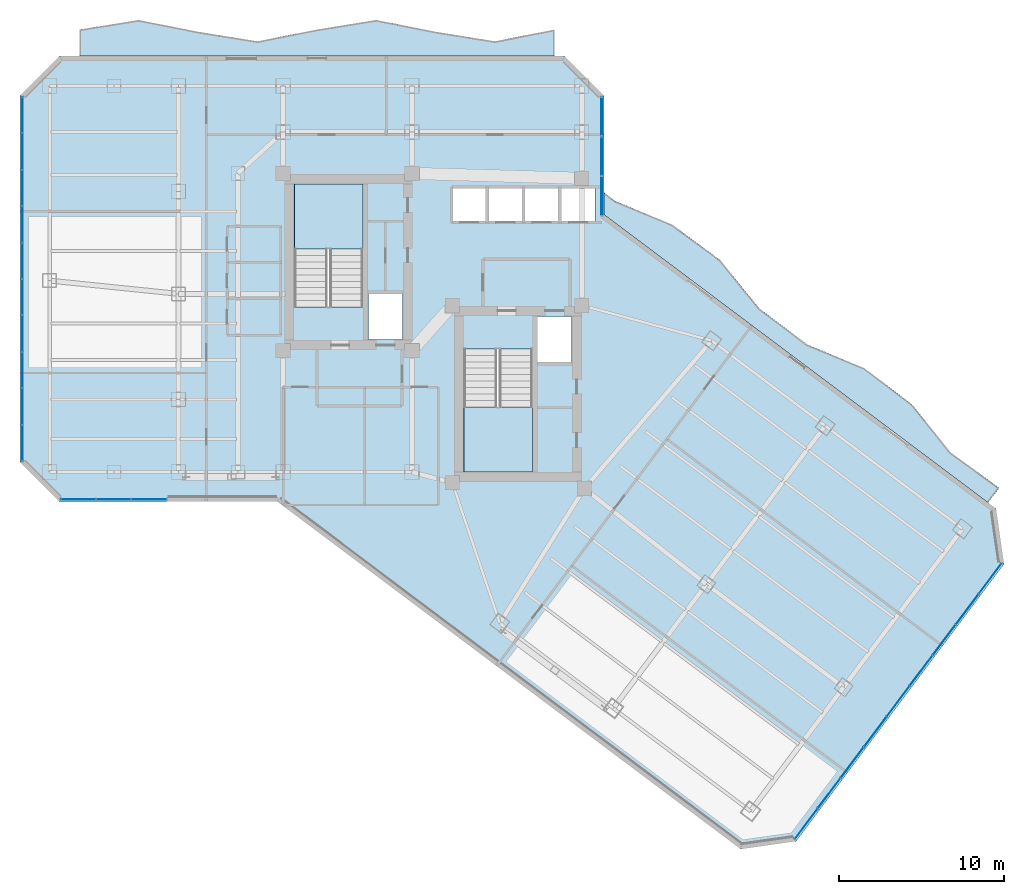
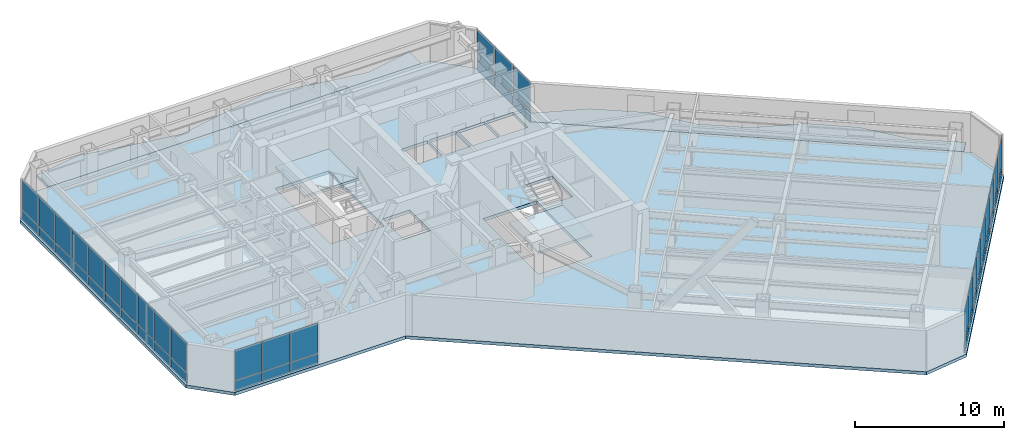
# One storey, part 20 of 29: 50 plates, 5 slabs, 6 elements without a shape of their own.
"""IFC4 building model written with IfcOpenShell, lengths in metres."""

from ifc_helpers import new_model, si_unit, direction, frame, origin, origin_2d, place, context, subcontext, project, spatial, polyline, rectangle, outline, extrude, material, layer, layer_set, type_object, element, aggregate, save


model = new_model("IFC4")

# Units and contexts
model_context = context("Model", 3, precision=1e-05, world=origin(), true_north=direction((0.0, 1.0)))
body_context = subcontext(model_context, "Body", "Model", "MODEL_VIEW")
ifc_project = project(units=[si_unit("LENGTHUNIT", "METRE"), si_unit("AREAUNIT", "SQUARE_METRE"), si_unit("VOLUMEUNIT", "CUBIC_METRE"), si_unit("PLANEANGLEUNIT", "RADIAN"), si_unit("MASSUNIT", "GRAM", prefix="KILO")], contexts=[model_context])

# Site, building, storey
site_placement = place(None, origin())
site = spatial("IfcSite", under=ifc_project, at=site_placement, CompositionType="ELEMENT")
building_placement = place(site_placement, origin())
building = spatial("IfcBuilding", under=site, at=building_placement, Name="Hatsunagi Terrace Concourse", CompositionType="ELEMENT")
storey_placement = place(building_placement, frame((0.0, 0.0, 119.25)))
storey = spatial("IfcBuildingStorey", under=building, at=storey_placement, Name="L31", CompositionType="ELEMENT", Elevation=119.25)

# Curtain wall, plates
ifc_material_1 = material(Name="Anodised Aluminium Alloy 6063-T5", Category="aluminium")
ifc_layer_1 = layer(ifc_material_1, 0.199951171875)
ifc_layer_set_1 = layer_set([ifc_layer_1], Name="OfficeZone1_CW03")
curtain_wall_type = type_object("IfcCurtainWallType", Name="OfficeZone1_CW03", PredefinedType="NOTDEFINED", material=ifc_layer_set_1)
curtain_wall_1_placement = place(storey_placement, origin())
curtain_wall_1 = element("IfcCurtainWall", 1, at=curtain_wall_1_placement, inside=storey, type_object=curtain_wall_type, Name="Unitised Curtain Wall CW-03 CW-L31-03", PredefinedType="NOTDEFINED")
ifc_material_2 = material(Name="Warm Terracotta Ceramic Spandrel Panel", Category="masonry")
ifc_layer_2 = layer(ifc_material_2, 0.031982421875)
ifc_layer_set_2 = layer_set([ifc_layer_2], Name="CurtainWallSpandrelPanel_32")
plate_type_1 = type_object("IfcPlateType", Name="CurtainWallSpandrelPanel_32", PredefinedType="SHEET", material=ifc_layer_set_2)
plate_1_placement = place(storey_placement, frame((68.39697265625, 18.72998046875, 0.030029296875), z_axis=(0.0, 0.0, 1.0), x_axis=(-0.599969314634, -0.800023013105, 0.0)))
plate_1 = element("IfcPlate", 2, at=plate_1_placement, type_object=plate_type_1, Name="Terracotta Spandrel Panel SPN-01", PredefinedType="SHEET", context=body_context, shape_type="SweptSolid", body=[
    extrude(rectangle(XDim=2.264892578125, YDim=0.031982421875, at=origin_2d()), origin(), (0.0, 0.0, 1.0), 0.7900390625),
])
plate_2_placement = place(storey_placement, frame((67.0048828125, 16.873046875, 0.030029296875), z_axis=(0.0, 0.0, 1.0), x_axis=(-0.599969314634, -0.800023013105, 0.0)))
plate_2 = element("IfcPlate", 3, at=plate_2_placement, type_object=plate_type_1, Name="Terracotta Spandrel Panel SPN-01", PredefinedType="SHEET", context=body_context, shape_type="SweptSolid", body=[
    extrude(rectangle(XDim=2.264892578125, YDim=0.031982421875, at=origin_2d()), origin(), (0.0, 0.0, 1.0), 0.7900390625),
])
plate_3_placement = place(storey_placement, frame((65.612060546875, 15.01708984375, 0.030029296875), z_axis=(0.0, 0.0, 1.0), x_axis=(-0.599969314634, -0.800023013105, 0.0)))
plate_3 = element("IfcPlate", 4, at=plate_3_placement, type_object=plate_type_1, Name="Terracotta Spandrel Panel SPN-01", PredefinedType="SHEET", context=body_context, shape_type="SweptSolid", body=[
    extrude(rectangle(XDim=2.264892578125, YDim=0.031982421875, at=origin_2d()), origin(), (0.0, 0.0, 1.0), 0.7900390625),
])
plate_4_placement = place(storey_placement, frame((64.219970703125, 13.159912109375, 0.030029296875), z_axis=(0.0, 0.0, 1.0), x_axis=(-0.599969314634, -0.800023013105, 0.0)))
plate_4 = element("IfcPlate", 5, at=plate_4_placement, type_object=plate_type_1, Name="Terracotta Spandrel Panel SPN-01", PredefinedType="SHEET", context=body_context, shape_type="SweptSolid", body=[
    extrude(rectangle(XDim=2.264892578125, YDim=0.031982421875, at=origin_2d()), origin(), (0.0, 0.0, 1.0), 0.7900390625),
])
plate_5_placement = place(storey_placement, frame((62.827880859375, 11.303955078125, 0.030029296875), z_axis=(0.0, 0.0, 1.0), x_axis=(-0.599969314634, -0.800023013105, 0.0)))
plate_5 = element("IfcPlate", 6, at=plate_5_placement, type_object=plate_type_1, Name="Terracotta Spandrel Panel SPN-01", PredefinedType="SHEET", context=body_context, shape_type="SweptSolid", body=[
    extrude(rectangle(XDim=2.264892578125, YDim=0.031982421875, at=origin_2d()), origin(), (0.0, 0.0, 1.0), 0.7900390625),
])
plate_6_placement = place(storey_placement, frame((61.43603515625, 9.447998046875, 0.030029296875), z_axis=(0.0, 0.0, 1.0), x_axis=(-0.599969314634, -0.800023013105, 0.0)))
plate_6 = element("IfcPlate", 7, at=plate_6_placement, type_object=plate_type_1, Name="Terracotta Spandrel Panel SPN-01", PredefinedType="SHEET", context=body_context, shape_type="SweptSolid", body=[
    extrude(rectangle(XDim=2.264892578125, YDim=0.031982421875, at=origin_2d()), origin(), (0.0, 0.0, 1.0), 0.7900390625),
])
plate_7_placement = place(storey_placement, frame((60.0439453125, 7.591064453125, 0.030029296875), z_axis=(0.0, 0.0, 1.0), x_axis=(-0.599969314634, -0.800023013105, 0.0)))
plate_7 = element("IfcPlate", 8, at=plate_7_placement, type_object=plate_type_1, Name="Terracotta Spandrel Panel SPN-01", PredefinedType="SHEET", context=body_context, shape_type="SweptSolid", body=[
    extrude(rectangle(XDim=2.264892578125, YDim=0.031982421875, at=origin_2d()), origin(), (0.0, 0.0, 1.0), 0.7900390625),
])
plate_8_placement = place(storey_placement, frame((58.65087890625, 5.735107421875, 0.030029296875), z_axis=(0.0, 0.0, 1.0), x_axis=(-0.599969314634, -0.800023013105, 0.0)))
plate_8 = element("IfcPlate", 9, at=plate_8_placement, type_object=plate_type_1, Name="Terracotta Spandrel Panel SPN-01", PredefinedType="SHEET", context=body_context, shape_type="SweptSolid", body=[
    extrude(rectangle(XDim=2.264892578125, YDim=0.031982421875, at=origin_2d()), origin(), (0.0, 0.0, 1.0), 0.7900390625),
])
plate_9_placement = place(storey_placement, frame((57.259033203125, 3.8779296875, 0.030029296875), z_axis=(0.0, 0.0, 1.0), x_axis=(-0.599969314634, -0.800023013105, 0.0)))
plate_9 = element("IfcPlate", 10, at=plate_9_placement, type_object=plate_type_1, Name="Terracotta Spandrel Panel SPN-01", PredefinedType="SHEET", context=body_context, shape_type="SweptSolid", body=[
    extrude(rectangle(XDim=2.264892578125, YDim=0.031982421875, at=origin_2d()), origin(), (0.0, 0.0, 1.0), 0.7900390625),
])

curtain_wall_2_placement = place(storey_placement, origin())
curtain_wall_2 = element("IfcCurtainWall", 11, at=curtain_wall_2_placement, inside=storey, type_object=curtain_wall_type, Name="Unitised Curtain Wall CW-03 CW-L31-07", PredefinedType="NOTDEFINED")
plate_10_placement = place(storey_placement, frame((17.426025390625, 23.5400390625, 0.030029296875), z_axis=(0.0, 0.0, 1.0), x_axis=(-1.0, 0.0, 0.0)))
plate_10 = element("IfcPlate", 12, at=plate_10_placement, type_object=plate_type_1, Name="Terracotta Spandrel Panel SPN-01", PredefinedType="SHEET", context=body_context, shape_type="SweptSolid", body=[
    extrude(rectangle(XDim=2.092041015625, YDim=0.031982421875, at=origin_2d()), origin(), (0.0, 0.0, 1.0), 0.7900390625),
])
plate_11_placement = place(storey_placement, frame((15.279052734375, 23.5400390625, 0.030029296875), z_axis=(0.0, 0.0, 1.0), x_axis=(-1.0, 0.0, 0.0)))
plate_11 = element("IfcPlate", 13, at=plate_11_placement, type_object=plate_type_1, Name="Terracotta Spandrel Panel SPN-01", PredefinedType="SHEET", context=body_context, shape_type="SweptSolid", body=[
    extrude(rectangle(XDim=2.092041015625, YDim=0.031982421875, at=origin_2d()), origin(), (0.0, 0.0, 1.0), 0.7900390625),
])
plate_12_placement = place(storey_placement, frame((13.132080078125, 23.5400390625, 0.030029296875), z_axis=(0.0, 0.0, 1.0), x_axis=(-1.0, 0.0, 0.0)))
plate_12 = element("IfcPlate", 14, at=plate_12_placement, type_object=plate_type_1, Name="Terracotta Spandrel Panel SPN-01", PredefinedType="SHEET", context=body_context, shape_type="SweptSolid", body=[
    extrude(rectangle(XDim=2.092041015625, YDim=0.031982421875, at=origin_2d()), origin(), (0.0, 0.0, 1.0), 0.7900390625),
])

curtain_wall_3_placement = place(storey_placement, origin())
curtain_wall_3 = element("IfcCurtainWall", 15, at=curtain_wall_3_placement, inside=storey, type_object=curtain_wall_type, Name="Unitised Curtain Wall CW-03 CW-L31-09", PredefinedType="NOTDEFINED")
plate_13_placement = place(storey_placement, frame((9.739990234375, 26.9619140625, 0.030029296875), z_axis=(0.0, 0.0, 1.0), x_axis=(0.0, 1.0, 0.0)))
plate_13 = element("IfcPlate", 16, at=plate_13_placement, type_object=plate_type_1, Name="Terracotta Spandrel Panel SPN-01", PredefinedType="SHEET", context=body_context, shape_type="SweptSolid", body=[
    extrude(rectangle(XDim=2.153076171875, YDim=0.031982421875, at=origin_2d()), origin(), (0.0, 0.0, 1.0), 0.7900390625),
])
plate_14_placement = place(storey_placement, frame((9.739990234375, 29.1708984375, 0.030029296875), z_axis=(0.0, 0.0, 1.0), x_axis=(0.0, 1.0, 0.0)))
plate_14 = element("IfcPlate", 17, at=plate_14_placement, type_object=plate_type_1, Name="Terracotta Spandrel Panel SPN-01", PredefinedType="SHEET", context=body_context, shape_type="SweptSolid", body=[
    extrude(rectangle(XDim=2.153076171875, YDim=0.031982421875, at=origin_2d()), origin(), (0.0, 0.0, 1.0), 0.7900390625),
])
plate_15_placement = place(storey_placement, frame((9.739990234375, 31.37890625, 0.030029296875), z_axis=(0.0, 0.0, 1.0), x_axis=(0.0, 1.0, 0.0)))
plate_15 = element("IfcPlate", 18, at=plate_15_placement, type_object=plate_type_1, Name="Terracotta Spandrel Panel SPN-01", PredefinedType="SHEET", context=body_context, shape_type="SweptSolid", body=[
    extrude(rectangle(XDim=2.153076171875, YDim=0.031982421875, at=origin_2d()), origin(), (0.0, 0.0, 1.0), 0.7900390625),
])
plate_16_placement = place(storey_placement, frame((9.739990234375, 33.5869140625, 0.030029296875), z_axis=(0.0, 0.0, 1.0), x_axis=(0.0, 1.0, 0.0)))
plate_16 = element("IfcPlate", 19, at=plate_16_placement, type_object=plate_type_1, Name="Terracotta Spandrel Panel SPN-01", PredefinedType="SHEET", context=body_context, shape_type="SweptSolid", body=[
    extrude(rectangle(XDim=2.153076171875, YDim=0.031982421875, at=origin_2d()), origin(), (0.0, 0.0, 1.0), 0.7900390625),
])
plate_17_placement = place(storey_placement, frame((9.739990234375, 35.7958984375, 0.030029296875), z_axis=(0.0, 0.0, 1.0), x_axis=(0.0, 1.0, 0.0)))
plate_17 = element("IfcPlate", 20, at=plate_17_placement, type_object=plate_type_1, Name="Terracotta Spandrel Panel SPN-01", PredefinedType="SHEET", context=body_context, shape_type="SweptSolid", body=[
    extrude(rectangle(XDim=2.153076171875, YDim=0.031982421875, at=origin_2d()), origin(), (0.0, 0.0, 1.0), 0.7900390625),
])
plate_18_placement = place(storey_placement, frame((9.739990234375, 38.00390625, 0.030029296875), z_axis=(0.0, 0.0, 1.0), x_axis=(0.0, 1.0, 0.0)))
plate_18 = element("IfcPlate", 21, at=plate_18_placement, type_object=plate_type_1, Name="Terracotta Spandrel Panel SPN-01", PredefinedType="SHEET", context=body_context, shape_type="SweptSolid", body=[
    extrude(rectangle(XDim=2.153076171875, YDim=0.031982421875, at=origin_2d()), origin(), (0.0, 0.0, 1.0), 0.7900390625),
])
plate_19_placement = place(storey_placement, frame((9.739990234375, 40.212890625, 0.030029296875), z_axis=(0.0, 0.0, 1.0), x_axis=(0.0, 1.0, 0.0)))
plate_19 = element("IfcPlate", 22, at=plate_19_placement, type_object=plate_type_1, Name="Terracotta Spandrel Panel SPN-01", PredefinedType="SHEET", context=body_context, shape_type="SweptSolid", body=[
    extrude(rectangle(XDim=2.153076171875, YDim=0.031982421875, at=origin_2d()), origin(), (0.0, 0.0, 1.0), 0.7900390625),
])
plate_20_placement = place(storey_placement, frame((9.739990234375, 42.4208984375, 0.030029296875), z_axis=(0.0, 0.0, 1.0), x_axis=(0.0, 1.0, 0.0)))
plate_20 = element("IfcPlate", 23, at=plate_20_placement, type_object=plate_type_1, Name="Terracotta Spandrel Panel SPN-01", PredefinedType="SHEET", context=body_context, shape_type="SweptSolid", body=[
    extrude(rectangle(XDim=2.153076171875, YDim=0.031982421875, at=origin_2d()), origin(), (0.0, 0.0, 1.0), 0.7900390625),
])
plate_21_placement = place(storey_placement, frame((9.739990234375, 44.62890625, 0.030029296875), z_axis=(0.0, 0.0, 1.0), x_axis=(0.0, 1.0, 0.0)))
plate_21 = element("IfcPlate", 24, at=plate_21_placement, type_object=plate_type_1, Name="Terracotta Spandrel Panel SPN-01", PredefinedType="SHEET", context=body_context, shape_type="SweptSolid", body=[
    extrude(rectangle(XDim=2.153076171875, YDim=0.031982421875, at=origin_2d()), origin(), (0.0, 0.0, 1.0), 0.7900390625),
])
plate_22_placement = place(storey_placement, frame((9.739990234375, 46.837890625, 0.030029296875), z_axis=(0.0, 0.0, 1.0), x_axis=(0.0, 1.0, 0.0)))
plate_22 = element("IfcPlate", 25, at=plate_22_placement, type_object=plate_type_1, Name="Terracotta Spandrel Panel SPN-01", PredefinedType="SHEET", context=body_context, shape_type="SweptSolid", body=[
    extrude(rectangle(XDim=2.153076171875, YDim=0.031982421875, at=origin_2d()), origin(), (0.0, 0.0, 1.0), 0.7900390625),
])

curtain_wall_4_placement = place(storey_placement, origin())
curtain_wall_4 = element("IfcCurtainWall", 26, at=curtain_wall_4_placement, inside=storey, type_object=curtain_wall_type, Name="Unitised Curtain Wall CW-03 CW-L31-13", PredefinedType="NOTDEFINED")
plate_23_placement = place(storey_placement, frame((44.860107421875, 46.739990234375, 0.030029296875), z_axis=(0.0, 0.0, 1.0), x_axis=(0.0, -1.0, 0.0)))
plate_23 = element("IfcPlate", 27, at=plate_23_placement, type_object=plate_type_1, Name="Terracotta Spandrel Panel SPN-01", PredefinedType="SHEET", context=body_context, shape_type="SweptSolid", body=[
    extrude(rectangle(XDim=2.34912109375, YDim=0.031982421875, at=origin_2d()), origin(), (0.0, 0.0, 1.0), 0.7900390625),
])
plate_24_placement = place(storey_placement, frame((44.860107421875, 44.3359375, 0.030029296875), z_axis=(0.0, 0.0, 1.0), x_axis=(0.0, -1.0, 0.0)))
plate_24 = element("IfcPlate", 28, at=plate_24_placement, type_object=plate_type_1, Name="Terracotta Spandrel Panel SPN-01", PredefinedType="SHEET", context=body_context, shape_type="SweptSolid", body=[
    extrude(rectangle(XDim=2.34912109375, YDim=0.031982421875, at=origin_2d()), origin(), (0.0, 0.0, 1.0), 0.7900390625),
])
plate_25_placement = place(storey_placement, frame((44.860107421875, 41.931884765625, 0.030029296875), z_axis=(0.0, 0.0, 1.0), x_axis=(0.0, -1.0, 0.0)))
plate_25 = element("IfcPlate", 29, at=plate_25_placement, type_object=plate_type_1, Name="Terracotta Spandrel Panel SPN-01", PredefinedType="SHEET", context=body_context, shape_type="SweptSolid", body=[
    extrude(rectangle(XDim=2.34912109375, YDim=0.031982421875, at=origin_2d()), origin(), (0.0, 0.0, 1.0), 0.7900390625),
])

# Plate
ifc_material_3 = material(Name="Low-E Double Insulating Glass 28mm", Category="glass")
ifc_layer_3 = layer(ifc_material_3, 0.028076171875)
ifc_layer_set_3 = layer_set([ifc_layer_3], Name="CurtainWallVisionGlass_28")
plate_type_2 = type_object("IfcPlateType", Name="CurtainWallVisionGlass_28", PredefinedType="CURTAIN_PANEL", material=ifc_layer_set_3)
plate_26_placement = place(storey_placement, frame((68.39697265625, 18.72998046875, 0.880126953125), z_axis=(0.0, 0.0, 1.0), x_axis=(-0.599969314634, -0.800023013105, 0.0)))
plate_26 = element("IfcPlate", 30, at=plate_26_placement, type_object=plate_type_2, Name="Low-E Vision Glass Panel GLZ-01", PredefinedType="CURTAIN_PANEL", context=body_context, shape_type="SweptSolid", body=[
    extrude(rectangle(XDim=2.264892578125, YDim=0.028076171875, at=origin_2d()), origin(), (0.0, 0.0, 1.0), 2.43994140625),
])

plate_27_placement = place(storey_placement, frame((67.0048828125, 16.873046875, 0.880126953125), z_axis=(0.0, 0.0, 1.0), x_axis=(-0.599969314634, -0.800023013105, 0.0)))
plate_27 = element("IfcPlate", 31, at=plate_27_placement, type_object=plate_type_2, Name="Low-E Vision Glass Panel GLZ-01", PredefinedType="CURTAIN_PANEL", context=body_context, shape_type="SweptSolid", body=[
    extrude(rectangle(XDim=2.264892578125, YDim=0.028076171875, at=origin_2d()), origin(), (0.0, 0.0, 1.0), 2.43994140625),
])

plate_28_placement = place(storey_placement, frame((65.612060546875, 15.01708984375, 0.880126953125), z_axis=(0.0, 0.0, 1.0), x_axis=(-0.599969314634, -0.800023013105, 0.0)))
plate_28 = element("IfcPlate", 32, at=plate_28_placement, type_object=plate_type_2, Name="Low-E Vision Glass Panel GLZ-01", PredefinedType="CURTAIN_PANEL", context=body_context, shape_type="SweptSolid", body=[
    extrude(rectangle(XDim=2.264892578125, YDim=0.028076171875, at=origin_2d()), origin(), (0.0, 0.0, 1.0), 2.43994140625),
])

plate_29_placement = place(storey_placement, frame((64.219970703125, 13.159912109375, 0.880126953125), z_axis=(0.0, 0.0, 1.0), x_axis=(-0.599969314634, -0.800023013105, 0.0)))
plate_29 = element("IfcPlate", 33, at=plate_29_placement, type_object=plate_type_2, Name="Low-E Vision Glass Panel GLZ-01", PredefinedType="CURTAIN_PANEL", context=body_context, shape_type="SweptSolid", body=[
    extrude(rectangle(XDim=2.264892578125, YDim=0.028076171875, at=origin_2d()), origin(), (0.0, 0.0, 1.0), 2.43994140625),
])

plate_30_placement = place(storey_placement, frame((62.827880859375, 11.303955078125, 0.880126953125), z_axis=(0.0, 0.0, 1.0), x_axis=(-0.599969314634, -0.800023013105, 0.0)))
plate_30 = element("IfcPlate", 34, at=plate_30_placement, type_object=plate_type_2, Name="Low-E Vision Glass Panel GLZ-01", PredefinedType="CURTAIN_PANEL", context=body_context, shape_type="SweptSolid", body=[
    extrude(rectangle(XDim=2.264892578125, YDim=0.028076171875, at=origin_2d()), origin(), (0.0, 0.0, 1.0), 2.43994140625),
])

plate_31_placement = place(storey_placement, frame((61.43603515625, 9.447998046875, 0.880126953125), z_axis=(0.0, 0.0, 1.0), x_axis=(-0.599969314634, -0.800023013105, 0.0)))
plate_31 = element("IfcPlate", 35, at=plate_31_placement, type_object=plate_type_2, Name="Low-E Vision Glass Panel GLZ-01", PredefinedType="CURTAIN_PANEL", context=body_context, shape_type="SweptSolid", body=[
    extrude(rectangle(XDim=2.264892578125, YDim=0.028076171875, at=origin_2d()), origin(), (0.0, 0.0, 1.0), 2.43994140625),
])

plate_32_placement = place(storey_placement, frame((60.0439453125, 7.591064453125, 0.880126953125), z_axis=(0.0, 0.0, 1.0), x_axis=(-0.599969314634, -0.800023013105, 0.0)))
plate_32 = element("IfcPlate", 36, at=plate_32_placement, type_object=plate_type_2, Name="Low-E Vision Glass Panel GLZ-01", PredefinedType="CURTAIN_PANEL", context=body_context, shape_type="SweptSolid", body=[
    extrude(rectangle(XDim=2.264892578125, YDim=0.028076171875, at=origin_2d()), origin(), (0.0, 0.0, 1.0), 2.43994140625),
])

plate_33_placement = place(storey_placement, frame((58.65087890625, 5.735107421875, 0.880126953125), z_axis=(0.0, 0.0, 1.0), x_axis=(-0.599969314634, -0.800023013105, 0.0)))
plate_33 = element("IfcPlate", 37, at=plate_33_placement, type_object=plate_type_2, Name="Low-E Vision Glass Panel GLZ-01", PredefinedType="CURTAIN_PANEL", context=body_context, shape_type="SweptSolid", body=[
    extrude(rectangle(XDim=2.264892578125, YDim=0.028076171875, at=origin_2d()), origin(), (0.0, 0.0, 1.0), 2.43994140625),
])

plate_34_placement = place(storey_placement, frame((57.259033203125, 3.8779296875, 0.880126953125), z_axis=(0.0, 0.0, 1.0), x_axis=(-0.599969314634, -0.800023013105, 0.0)))
plate_34 = element("IfcPlate", 38, at=plate_34_placement, type_object=plate_type_2, Name="Low-E Vision Glass Panel GLZ-01", PredefinedType="CURTAIN_PANEL", context=body_context, shape_type="SweptSolid", body=[
    extrude(rectangle(XDim=2.264892578125, YDim=0.028076171875, at=origin_2d()), origin(), (0.0, 0.0, 1.0), 2.43994140625),
])

aggregate(curtain_wall_1, [plate_1, plate_26, plate_2, plate_27, plate_3, plate_28, plate_4, plate_29, plate_5, plate_30, plate_6, plate_31, plate_7, plate_32, plate_8, plate_33, plate_9, plate_34])

plate_35_placement = place(storey_placement, frame((17.426025390625, 23.5400390625, 0.880126953125), z_axis=(0.0, 0.0, 1.0), x_axis=(-1.0, 0.0, 0.0)))
plate_35 = element("IfcPlate", 39, at=plate_35_placement, type_object=plate_type_2, Name="Low-E Vision Glass Panel GLZ-01", PredefinedType="CURTAIN_PANEL", context=body_context, shape_type="SweptSolid", body=[
    extrude(rectangle(XDim=2.092041015625, YDim=0.028076171875, at=origin_2d()), origin(), (0.0, 0.0, 1.0), 2.43994140625),
])

plate_36_placement = place(storey_placement, frame((15.279052734375, 23.5400390625, 0.880126953125), z_axis=(0.0, 0.0, 1.0), x_axis=(-1.0, 0.0, 0.0)))
plate_36 = element("IfcPlate", 40, at=plate_36_placement, type_object=plate_type_2, Name="Low-E Vision Glass Panel GLZ-01", PredefinedType="CURTAIN_PANEL", context=body_context, shape_type="SweptSolid", body=[
    extrude(rectangle(XDim=2.092041015625, YDim=0.028076171875, at=origin_2d()), origin(), (0.0, 0.0, 1.0), 2.43994140625),
])

plate_37_placement = place(storey_placement, frame((13.132080078125, 23.5400390625, 0.880126953125), z_axis=(0.0, 0.0, 1.0), x_axis=(-1.0, 0.0, 0.0)))
plate_37 = element("IfcPlate", 41, at=plate_37_placement, type_object=plate_type_2, Name="Low-E Vision Glass Panel GLZ-01", PredefinedType="CURTAIN_PANEL", context=body_context, shape_type="SweptSolid", body=[
    extrude(rectangle(XDim=2.092041015625, YDim=0.028076171875, at=origin_2d()), origin(), (0.0, 0.0, 1.0), 2.43994140625),
])

aggregate(curtain_wall_2, [plate_10, plate_35, plate_11, plate_36, plate_12, plate_37])

plate_38_placement = place(storey_placement, frame((9.739990234375, 26.9619140625, 0.880126953125), z_axis=(0.0, 0.0, 1.0), x_axis=(0.0, 1.0, 0.0)))
plate_38 = element("IfcPlate", 42, at=plate_38_placement, type_object=plate_type_2, Name="Low-E Vision Glass Panel GLZ-01", PredefinedType="CURTAIN_PANEL", context=body_context, shape_type="SweptSolid", body=[
    extrude(rectangle(XDim=2.153076171875, YDim=0.028076171875, at=origin_2d()), origin(), (0.0, 0.0, 1.0), 2.43994140625),
])

plate_39_placement = place(storey_placement, frame((9.739990234375, 29.1708984375, 0.880126953125), z_axis=(0.0, 0.0, 1.0), x_axis=(0.0, 1.0, 0.0)))
plate_39 = element("IfcPlate", 43, at=plate_39_placement, type_object=plate_type_2, Name="Low-E Vision Glass Panel GLZ-01", PredefinedType="CURTAIN_PANEL", context=body_context, shape_type="SweptSolid", body=[
    extrude(rectangle(XDim=2.153076171875, YDim=0.028076171875, at=origin_2d()), origin(), (0.0, 0.0, 1.0), 2.43994140625),
])

plate_40_placement = place(storey_placement, frame((9.739990234375, 31.37890625, 0.880126953125), z_axis=(0.0, 0.0, 1.0), x_axis=(0.0, 1.0, 0.0)))
plate_40 = element("IfcPlate", 44, at=plate_40_placement, type_object=plate_type_2, Name="Low-E Vision Glass Panel GLZ-01", PredefinedType="CURTAIN_PANEL", context=body_context, shape_type="SweptSolid", body=[
    extrude(rectangle(XDim=2.153076171875, YDim=0.028076171875, at=origin_2d()), origin(), (0.0, 0.0, 1.0), 2.43994140625),
])

plate_41_placement = place(storey_placement, frame((9.739990234375, 33.5869140625, 0.880126953125), z_axis=(0.0, 0.0, 1.0), x_axis=(0.0, 1.0, 0.0)))
plate_41 = element("IfcPlate", 45, at=plate_41_placement, type_object=plate_type_2, Name="Low-E Vision Glass Panel GLZ-01", PredefinedType="CURTAIN_PANEL", context=body_context, shape_type="SweptSolid", body=[
    extrude(rectangle(XDim=2.153076171875, YDim=0.028076171875, at=origin_2d()), origin(), (0.0, 0.0, 1.0), 2.43994140625),
])

plate_42_placement = place(storey_placement, frame((9.739990234375, 35.7958984375, 0.880126953125), z_axis=(0.0, 0.0, 1.0), x_axis=(0.0, 1.0, 0.0)))
plate_42 = element("IfcPlate", 46, at=plate_42_placement, type_object=plate_type_2, Name="Low-E Vision Glass Panel GLZ-01", PredefinedType="CURTAIN_PANEL", context=body_context, shape_type="SweptSolid", body=[
    extrude(rectangle(XDim=2.153076171875, YDim=0.028076171875, at=origin_2d()), origin(), (0.0, 0.0, 1.0), 2.43994140625),
])

plate_43_placement = place(storey_placement, frame((9.739990234375, 38.00390625, 0.880126953125), z_axis=(0.0, 0.0, 1.0), x_axis=(0.0, 1.0, 0.0)))
plate_43 = element("IfcPlate", 47, at=plate_43_placement, type_object=plate_type_2, Name="Low-E Vision Glass Panel GLZ-01", PredefinedType="CURTAIN_PANEL", context=body_context, shape_type="SweptSolid", body=[
    extrude(rectangle(XDim=2.153076171875, YDim=0.028076171875, at=origin_2d()), origin(), (0.0, 0.0, 1.0), 2.43994140625),
])

plate_44_placement = place(storey_placement, frame((9.739990234375, 40.212890625, 0.880126953125), z_axis=(0.0, 0.0, 1.0), x_axis=(0.0, 1.0, 0.0)))
plate_44 = element("IfcPlate", 48, at=plate_44_placement, type_object=plate_type_2, Name="Low-E Vision Glass Panel GLZ-01", PredefinedType="CURTAIN_PANEL", context=body_context, shape_type="SweptSolid", body=[
    extrude(rectangle(XDim=2.153076171875, YDim=0.028076171875, at=origin_2d()), origin(), (0.0, 0.0, 1.0), 2.43994140625),
])

plate_45_placement = place(storey_placement, frame((9.739990234375, 42.4208984375, 0.880126953125), z_axis=(0.0, 0.0, 1.0), x_axis=(0.0, 1.0, 0.0)))
plate_45 = element("IfcPlate", 49, at=plate_45_placement, type_object=plate_type_2, Name="Low-E Vision Glass Panel GLZ-01", PredefinedType="CURTAIN_PANEL", context=body_context, shape_type="SweptSolid", body=[
    extrude(rectangle(XDim=2.153076171875, YDim=0.028076171875, at=origin_2d()), origin(), (0.0, 0.0, 1.0), 2.43994140625),
])

plate_46_placement = place(storey_placement, frame((9.739990234375, 44.62890625, 0.880126953125), z_axis=(0.0, 0.0, 1.0), x_axis=(0.0, 1.0, 0.0)))
plate_46 = element("IfcPlate", 50, at=plate_46_placement, type_object=plate_type_2, Name="Low-E Vision Glass Panel GLZ-01", PredefinedType="CURTAIN_PANEL", context=body_context, shape_type="SweptSolid", body=[
    extrude(rectangle(XDim=2.153076171875, YDim=0.028076171875, at=origin_2d()), origin(), (0.0, 0.0, 1.0), 2.43994140625),
])

plate_47_placement = place(storey_placement, frame((9.739990234375, 46.837890625, 0.880126953125), z_axis=(0.0, 0.0, 1.0), x_axis=(0.0, 1.0, 0.0)))
plate_47 = element("IfcPlate", 51, at=plate_47_placement, type_object=plate_type_2, Name="Low-E Vision Glass Panel GLZ-01", PredefinedType="CURTAIN_PANEL", context=body_context, shape_type="SweptSolid", body=[
    extrude(rectangle(XDim=2.153076171875, YDim=0.028076171875, at=origin_2d()), origin(), (0.0, 0.0, 1.0), 2.43994140625),
])

aggregate(curtain_wall_3, [plate_13, plate_38, plate_14, plate_39, plate_15, plate_40, plate_16, plate_41, plate_17, plate_42, plate_18, plate_43, plate_19, plate_44, plate_20, plate_45, plate_21, plate_46, plate_22, plate_47])

plate_48_placement = place(storey_placement, frame((44.860107421875, 46.739990234375, 0.880126953125), z_axis=(0.0, 0.0, 1.0), x_axis=(0.0, -1.0, 0.0)))
plate_48 = element("IfcPlate", 52, at=plate_48_placement, type_object=plate_type_2, Name="Low-E Vision Glass Panel GLZ-01", PredefinedType="CURTAIN_PANEL", context=body_context, shape_type="SweptSolid", body=[
    extrude(rectangle(XDim=2.34912109375, YDim=0.028076171875, at=origin_2d()), origin(), (0.0, 0.0, 1.0), 2.43994140625),
])

plate_49_placement = place(storey_placement, frame((44.860107421875, 44.3359375, 0.880126953125), z_axis=(0.0, 0.0, 1.0), x_axis=(0.0, -1.0, 0.0)))
plate_49 = element("IfcPlate", 53, at=plate_49_placement, type_object=plate_type_2, Name="Low-E Vision Glass Panel GLZ-01", PredefinedType="CURTAIN_PANEL", context=body_context, shape_type="SweptSolid", body=[
    extrude(rectangle(XDim=2.34912109375, YDim=0.028076171875, at=origin_2d()), origin(), (0.0, 0.0, 1.0), 2.43994140625),
])

plate_50_placement = place(storey_placement, frame((44.860107421875, 41.931884765625, 0.880126953125), z_axis=(0.0, 0.0, 1.0), x_axis=(0.0, -1.0, 0.0)))
plate_50 = element("IfcPlate", 54, at=plate_50_placement, type_object=plate_type_2, Name="Low-E Vision Glass Panel GLZ-01", PredefinedType="CURTAIN_PANEL", context=body_context, shape_type="SweptSolid", body=[
    extrude(rectangle(XDim=2.34912109375, YDim=0.028076171875, at=origin_2d()), origin(), (0.0, 0.0, 1.0), 2.43994140625),
])

aggregate(curtain_wall_4, [plate_23, plate_48, plate_24, plate_49, plate_25, plate_50])

# Stair, slab
ifc_material_4 = material(Name="Concrete Fc42", Category="concrete")
stair_type = type_object("IfcStairType", Name="DoglegExitStair_Tower2000_20R_180", PredefinedType="HALF_TURN_STAIR", material=ifc_material_4)
stair_1_placement = place(storey_placement, origin())
stair_1 = element("IfcStair", 55, at=stair_1_placement, inside=storey, type_object=stair_type, Name="L31 Core A Protected Exit Stair ST-A", PredefinedType="HALF_TURN_STAIR")
ifc_material_5 = material(Name="Concrete Fc42", Category="concrete")
ifc_layer_4 = layer(ifc_material_5, 0.199951171875)
ifc_layer_set_4 = layer_set([ifc_layer_4], Name="DoglegStairLanding_Tower2000")
slab_type_1 = type_object("IfcSlabType", Name="DoglegStairLanding_Tower2000", PredefinedType="LANDING", material=ifc_layer_set_4)
slab_1_placement = place(storey_placement, frame((0.0, 0.0, 1.60009765625)))
slab_1 = element("IfcSlab", 56, at=slab_1_placement, type_object=slab_type_1, Name="ST-A landing 1", PredefinedType="LANDING", context=body_context, shape_type="SweptSolid", body=[
    extrude(outline(polyline([(30.3798828125, 38.7099609375), (30.3798828125, 42.659912109375), (26.22998046875, 42.659912109375), (26.22998046875, 38.7099609375), (30.3798828125, 38.7099609375)])), origin(), (0.0, 0.0, 1.0), 0.199951171875),
])
aggregate(stair_1, [slab_1])

stair_2_placement = place(storey_placement, origin())
stair_2 = element("IfcStair", 57, at=stair_2_placement, inside=storey, type_object=stair_type, Name="L31 Core B Protected Exit Stair ST-B", PredefinedType="HALF_TURN_STAIR")
slab_2_placement = place(storey_placement, frame((0.0, 0.0, 1.60009765625)))
slab_2 = element("IfcSlab", 58, at=slab_2_placement, type_object=slab_type_1, Name="ST-B landing 1", PredefinedType="LANDING", context=body_context, shape_type="SweptSolid", body=[
    extrude(outline(polyline([(36.5, 29.14990234375), (36.5, 25.199951171875), (40.64990234375, 25.199951171875), (40.64990234375, 29.14990234375), (36.5, 29.14990234375)])), origin(), (0.0, 0.0, 1.0), 0.199951171875),
])
aggregate(stair_2, [slab_2])

# Slabs
ifc_material_6 = material(Name="Concrete Fc42", Category="concrete")
ifc_layer_5 = layer(ifc_material_6, 0.199951171875)
ifc_layer_set_5 = layer_set([ifc_layer_5], Name="EngawaBalconySlab_Fc42_200")
slab_type_2 = type_object("IfcSlabType", Name="EngawaBalconySlab_Fc42_200", PredefinedType="FLOOR", material=ifc_layer_set_5)
slab_3_placement = place(storey_placement, frame((0.0, 0.0, -0.199951171875)))
element("IfcSlab", 59, at=slab_3_placement, inside=storey, type_object=slab_type_2, Name="Engawa Balcony Slab BAL-L31-BN", PredefinedType="FLOOR", context=body_context, shape_type="SweptSolid", body=[
    extrude(outline(polyline([(13.199951171875, 52.01806640625), (13.199951171875, 50.39990234375), (42.0, 50.39990234375), (42.0, 52.01806640625), (38.39990234375, 51.303955078125), (34.800048828125, 51.882080078125), (31.199951171875, 52.595947265625), (27.60009765625, 52.01806640625), (24.0, 51.303955078125), (20.39990234375, 51.882080078125), (16.800048828125, 52.595947265625), (13.199951171875, 52.01806640625)])), origin(), (0.0, 0.0, 1.0), 0.199951171875),
])
slab_4_placement = place(storey_placement, frame((0.0, 0.0, -0.199951171875)))
element("IfcSlab", 60, at=slab_4_placement, inside=storey, type_object=slab_type_2, Name="Engawa Balcony Slab BAL-L31-BSE", PredefinedType="FLOOR", context=body_context, shape_type="SweptSolid", body=[
    extrude(outline(polyline([(45.666015625, 41.633056640625), (44.99609375, 42.152099609375), (44.99609375, 40.802978515625), (68.280029296875, 23.340087890625), (68.951904296875, 24.235107421875), (66.014892578125, 26.3759765625), (63.6630859375, 29.2958984375), (60.77099609375, 31.493896484375), (57.30810546875, 32.93310546875), (54.404052734375, 35.116943359375), (52.052978515625, 38.037109375), (49.1279296875, 40.19189453125), (45.666015625, 41.633056640625)])), origin(), (0.0, 0.0, 1.0), 0.199951171875),
])
ifc_material_7 = material(Name="Concrete Fc42", Category="concrete")
ifc_layer_6 = layer(ifc_material_7, 0.25)
ifc_layer_set_6 = layer_set([ifc_layer_6], Name="OfficeCrownSlab_Fc42_250")
slab_type_3 = type_object("IfcSlabType", Name="OfficeCrownSlab_Fc42_250", PredefinedType="FLOOR", material=ifc_layer_set_6)
slab_5_placement = place(storey_placement, frame((0.0, 0.0, -0.25)))
element("IfcSlab", 61, at=slab_5_placement, inside=storey, type_object=slab_type_3, Name="Floor Slab SL-250 L31", PredefinedType="FLOOR", context=body_context, shape_type="SweptSolid", body=[
    extrude(outline(polyline([(45.0, 40.800048828125), (45.0, 48.0), (42.60009765625, 50.39990234375), (12.0, 50.39990234375), (9.60009765625, 48.0), (9.60009765625, 25.800048828125), (12.0, 23.39990234375), (25.199951171875, 23.39990234375), (53.280029296875, 2.340087890625), (56.639892578125, 2.820068359375), (69.239990234375, 19.6201171875), (68.760009765625, 22.97998046875), (45.0, 40.800048828125)]), holes=[polyline([(26.22998046875, 35.205078125), (30.3798828125, 35.205078125), (30.3798828125, 42.659912109375), (26.22998046875, 42.659912109375), (26.22998046875, 35.205078125)]), polyline([(36.5, 25.199951171875), (40.64990234375, 25.199951171875), (40.64990234375, 32.655029296875), (36.5, 32.655029296875), (36.5, 25.199951171875)]), polyline([(30.719970703125, 33.219970703125), (32.780029296875, 33.219970703125), (32.780029296875, 35.97998046875), (30.719970703125, 35.97998046875), (30.719970703125, 33.219970703125)]), polyline([(40.97998046875, 31.8798828125), (43.02001953125, 31.8798828125), (43.02001953125, 34.639892578125), (40.97998046875, 34.639892578125), (40.97998046875, 31.8798828125)]), polyline([(35.800048828125, 40.39990234375), (37.85009765625, 40.39990234375), (37.85009765625, 42.39990234375), (35.800048828125, 42.39990234375), (35.800048828125, 40.39990234375)]), polyline([(38.0, 40.39990234375), (40.050048828125, 40.39990234375), (40.050048828125, 42.39990234375), (38.0, 42.39990234375), (38.0, 40.39990234375)]), polyline([(40.199951171875, 40.39990234375), (42.25, 40.39990234375), (42.25, 42.39990234375), (40.199951171875, 42.39990234375), (40.199951171875, 40.39990234375)]), polyline([(42.39990234375, 40.39990234375), (44.449951171875, 40.39990234375), (44.449951171875, 42.39990234375), (42.39990234375, 42.39990234375), (42.39990234375, 40.39990234375)])]), origin(), (0.0, 0.0, 1.0), 0.25),
])

save(model, "model.ifc")
